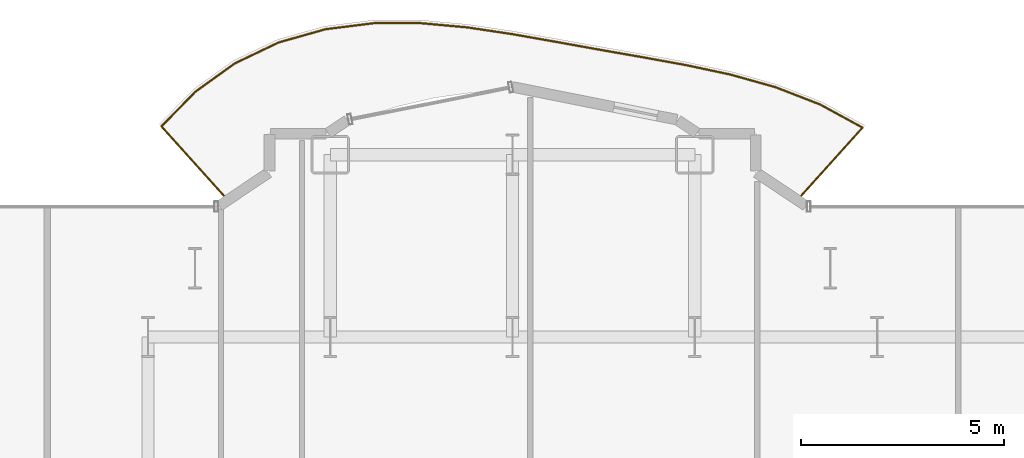
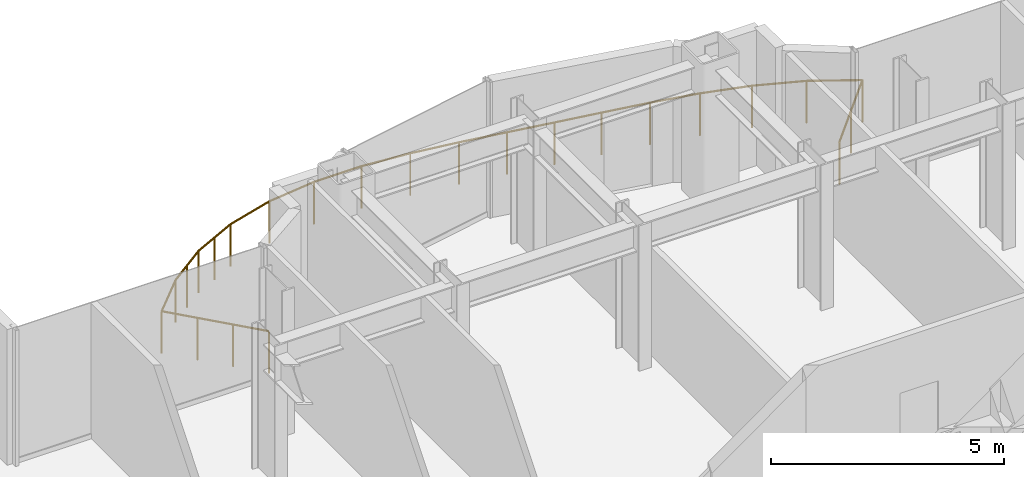
# One storey, part 29 of 29: 1 railing.
"""IFC4 building model written with IfcOpenShell, lengths in metres."""

from ifc_helpers import new_model, si_unit, direction, frame, origin, origin_2d, place, context, subcontext, project, spatial, circle, extrude, material, type_object, element, save


model = new_model("IFC4")

# Units and contexts
model_context = context("Model", 3, precision=1e-05, world=origin(), true_north=direction((0.0, 1.0)))
body_context = subcontext(model_context, "Body", "Model", "MODEL_VIEW")
ifc_project = project(units=[si_unit("LENGTHUNIT", "METRE"), si_unit("AREAUNIT", "SQUARE_METRE"), si_unit("VOLUMEUNIT", "CUBIC_METRE"), si_unit("PLANEANGLEUNIT", "RADIAN"), si_unit("MASSUNIT", "GRAM", prefix="KILO")], contexts=[model_context])

# Site, building, storey
site_placement = place(None, origin())
site = spatial("IfcSite", under=ifc_project, at=site_placement, CompositionType="ELEMENT")
building_placement = place(site_placement, origin())
building = spatial("IfcBuilding", under=site, at=building_placement, Name="Nefas-Gora Pilgrimage Tower", CompositionType="ELEMENT")
storey_placement = place(building_placement, frame((0.0, 0.0, 78.60009765625)))
storey = spatial("IfcBuildingStorey", under=building, at=storey_placement, Name="L18", CompositionType="ELEMENT", Elevation=78.60009765625)

# Railing
ifc_material = material(Name="Laminated safety glass and stainless steel", Category="steel")
railing_type = type_object("IfcRailingType", Name="RLG-BAL-1100", PredefinedType="BALUSTRADE", material=ifc_material)
railing_placement = place(storey_placement, frame((4.802490234375, 21.402587890625, 0.0)))
element("IfcRailing", 1, at=railing_placement, inside=storey, type_object=railing_type, Name="L18 Wave Balcony Balustrade N1", PredefinedType="BALUSTRADE", context=body_context, shape_type="SweptSolid", body=[
    extrude(circle(Radius=0.02392578125, at=origin_2d()), frame((0.0, 0.0, 1.09619140625), z_axis=(0.669135077133, 0.74314079995, 0.0), x_axis=(-0.74314079995, 0.669135077133, 0.0)), (0.0, 0.0, 1.0), 2.375244140625),
    extrude(circle(Radius=0.02392578125, at=origin_2d()), frame((1.58935546875, 1.76513671875, 1.09619140625), z_axis=(-0.878083063922, 0.478508236976, 0.0), x_axis=(-0.478508236976, -0.878083063922, 0.0)), (0.0, 0.0, 1.0), 1.19384765625),
    extrude(circle(Radius=0.02392578125, at=origin_2d()), frame((0.541015625, 2.33642578125, 1.09619140625), z_axis=(-0.932264516766, 0.361777377374, 0.0), x_axis=(-0.361777377374, -0.932264516766, 0.0)), (0.0, 0.0, 1.0), 1.18017578125),
    extrude(circle(Radius=0.02392578125, at=origin_2d()), frame((-0.559326171875, 2.763427734375, 1.09619140625), z_axis=(-0.962944291486, 0.269700373552, 0.0), x_axis=(-0.269700373552, -0.962944291486, 0.0)), (0.0, 0.0, 1.0), 1.156982421875),
    extrude(circle(Radius=0.02392578125, at=origin_2d()), frame((-1.67333984375, 3.075439453125, 1.09619140625), z_axis=(-0.978071187114, 0.208270864351, 0.0), x_axis=(-0.208270864351, -0.978071187114, 0.0)), (0.0, 0.0, 1.0), 1.12646484375),
    extrude(circle(Radius=0.02392578125, at=origin_2d()), frame((-2.775146484375, 3.31005859375, 1.09619140625), z_axis=(-0.983987188897, 0.178239199074, 0.0), x_axis=(-0.178239199074, -0.983987188897, 0.0)), (0.0, 0.0, 1.0), 1.09716796875),
    extrude(circle(Radius=0.02392578125, at=origin_2d()), frame((-3.854736328125, 3.505615234375, 1.09619140625), z_axis=(-0.985033351449, 0.172363849265, 0.0), x_axis=(-0.172363849265, -0.985033351449, 0.0)), (0.0, 0.0, 1.0), 1.077880859375),
    extrude(circle(Radius=0.02392578125, at=origin_2d()), frame((-4.91650390625, 3.69140625, 1.09619140625), z_axis=(-0.984191230585, 0.177109067071, 0.0), x_axis=(-0.177109067071, -0.984191230585, 0.0)), (0.0, 0.0, 1.0), 1.07666015625),
    extrude(circle(Radius=0.02392578125, at=origin_2d()), frame((-5.97607421875, 3.882080078125, 1.09619140625), z_axis=(-0.984747561973, 0.173989192737, 0.0), x_axis=(-0.173989192737, -0.984747561973, 0.0)), (0.0, 0.0, 1.0), 1.093017578125),
    extrude(circle(Radius=0.02392578125, at=origin_2d()), frame((-7.052490234375, 4.072265625, 1.09619140625), z_axis=(-0.98891878254, 0.148457541204, 0.0), x_axis=(-0.148457541204, -0.98891878254, 0.0)), (0.0, 0.0, 1.0), 1.12158203125),
    extrude(circle(Radius=0.02392578125, at=origin_2d()), frame((-8.16162109375, 4.23876953125, 1.09619140625), z_axis=(-0.995840939659, 0.091108851926, 0.0), x_axis=(-0.091108851926, -0.995840939659, 0.0)), (0.0, 0.0, 1.0), 1.15234375),
    extrude(circle(Radius=0.02392578125, at=origin_2d()), frame((-9.30908203125, 4.34375, 1.09619140625), z_axis=(-0.999999806466, -0.000622148366, 0.0), x_axis=(0.000622148366, -0.999999806466, 0.0)), (0.0, 0.0, 1.0), 1.17724609375),
    extrude(circle(Radius=0.02392578125, at=origin_2d()), frame((-10.486328125, 4.343017578125, 1.09619140625), z_axis=(-0.992246343829, -0.124286737661, 0.0), x_axis=(0.124286737661, -0.992246343829, 0.0)), (0.0, 0.0, 1.0), 1.1923828125),
    extrude(circle(Radius=0.02392578125, at=origin_2d()), frame((-11.66943359375, 4.19482421875, 1.09619140625), z_axis=(-0.962380056338, -0.271706877282, 0.0), x_axis=(0.271706877282, -0.962380056338, 0.0)), (0.0, 0.0, 1.0), 1.19873046875),
    extrude(circle(Radius=0.02392578125, at=origin_2d()), frame((-12.822998046875, 3.869140625, 1.09619140625), z_axis=(-0.902687538692, -0.430296650568, 0.0), x_axis=(0.430296650568, -0.902687538692, 0.0)), (0.0, 0.0, 1.0), 1.20068359375),
    extrude(circle(Radius=0.02392578125, at=origin_2d()), frame((-13.90673828125, 3.3525390625, 1.09619140625), z_axis=(-0.812274321028, -0.58327560158, 0.0), x_axis=(0.58327560158, -0.812274321028, 0.0)), (0.0, 0.0, 1.0), 1.200439453125),
    extrude(circle(Radius=0.02392578125, at=origin_2d()), frame((-14.8818359375, 2.65234375, 1.09619140625), z_axis=(-0.699126878219, -0.714997628074, 0.0), x_axis=(0.714997628074, -0.699126878219, 0.0)), (0.0, 0.0, 1.0), 1.199951171875),
    extrude(circle(Radius=0.02392578125, at=origin_2d()), frame((-15.720703125, 1.79443359375, 1.09619140625), z_axis=(0.669132296829, -0.743143303368, 0.0), x_axis=(0.743143303368, 0.669132296829, 0.0)), (0.0, 0.0, 1.0), 2.41455078125),
    extrude(circle(Radius=0.02099609375, at=origin_2d()), origin(), (0.0, 0.0, 1.0), 1.072021484375),
    extrude(circle(Radius=0.02099609375, at=origin_2d()), frame((0.794677734375, 0.882568359375, 0.0)), (0.0, 0.0, 1.0), 1.072021484375),
    extrude(circle(Radius=0.02099609375, at=origin_2d()), frame((1.58935546875, 1.76513671875, 0.0)), (0.0, 0.0, 1.0), 1.072021484375),
    extrude(circle(Radius=0.02099609375, at=origin_2d()), frame((0.541015625, 2.33642578125, 0.0)), (0.0, 0.0, 1.0), 1.072021484375),
    extrude(circle(Radius=0.02099609375, at=origin_2d()), frame((-0.559326171875, 2.763427734375, 0.0)), (0.0, 0.0, 1.0), 1.072021484375),
    extrude(circle(Radius=0.02099609375, at=origin_2d()), frame((-1.67333984375, 3.075439453125, 0.0)), (0.0, 0.0, 1.0), 1.072021484375),
    extrude(circle(Radius=0.02099609375, at=origin_2d()), frame((-2.775146484375, 3.31005859375, 0.0)), (0.0, 0.0, 1.0), 1.072021484375),
    extrude(circle(Radius=0.02099609375, at=origin_2d()), frame((-3.854736328125, 3.505615234375, 0.0)), (0.0, 0.0, 1.0), 1.072021484375),
    extrude(circle(Radius=0.02099609375, at=origin_2d()), frame((-4.91650390625, 3.69140625, 0.0)), (0.0, 0.0, 1.0), 1.072021484375),
    extrude(circle(Radius=0.02099609375, at=origin_2d()), frame((-5.97607421875, 3.882080078125, 0.0)), (0.0, 0.0, 1.0), 1.072021484375),
    extrude(circle(Radius=0.02099609375, at=origin_2d()), frame((-7.052490234375, 4.072265625, 0.0)), (0.0, 0.0, 1.0), 1.072021484375),
    extrude(circle(Radius=0.02099609375, at=origin_2d()), frame((-8.16162109375, 4.23876953125, 0.0)), (0.0, 0.0, 1.0), 1.072021484375),
    extrude(circle(Radius=0.02099609375, at=origin_2d()), frame((-9.30908203125, 4.34375, 0.0)), (0.0, 0.0, 1.0), 1.072021484375),
    extrude(circle(Radius=0.02099609375, at=origin_2d()), frame((-10.486328125, 4.343017578125, 0.0)), (0.0, 0.0, 1.0), 1.072021484375),
    extrude(circle(Radius=0.02099609375, at=origin_2d()), frame((-11.66943359375, 4.19482421875, 0.0)), (0.0, 0.0, 1.0), 1.072021484375),
    extrude(circle(Radius=0.02099609375, at=origin_2d()), frame((-12.822998046875, 3.869140625, 0.0)), (0.0, 0.0, 1.0), 1.072021484375),
    extrude(circle(Radius=0.02099609375, at=origin_2d()), frame((-13.36474609375, 3.61083984375, 0.0)), (0.0, 0.0, 1.0), 1.072021484375),
    extrude(circle(Radius=0.02099609375, at=origin_2d()), frame((-13.90673828125, 3.3525390625, 0.0)), (0.0, 0.0, 1.0), 1.072021484375),
    extrude(circle(Radius=0.02099609375, at=origin_2d()), frame((-14.394287109375, 3.00244140625, 0.0)), (0.0, 0.0, 1.0), 1.072021484375),
    extrude(circle(Radius=0.02099609375, at=origin_2d()), frame((-14.8818359375, 2.65234375, 0.0)), (0.0, 0.0, 1.0), 1.072021484375),
    extrude(circle(Radius=0.02099609375, at=origin_2d()), frame((-15.720703125, 1.79443359375, 0.0)), (0.0, 0.0, 1.0), 1.072021484375),
    extrude(circle(Radius=0.02099609375, at=origin_2d()), frame((-15.18212890625, 1.1962890625, 0.0)), (0.0, 0.0, 1.0), 1.072021484375),
    extrude(circle(Radius=0.02099609375, at=origin_2d()), frame((-14.6435546875, 0.59814453125, 0.0)), (0.0, 0.0, 1.0), 1.072021484375),
    extrude(circle(Radius=0.02099609375, at=origin_2d()), frame((-14.10498046875, 0.0, 0.0)), (0.0, 0.0, 1.0), 1.072021484375),
])

save(model, "model.ifc")
